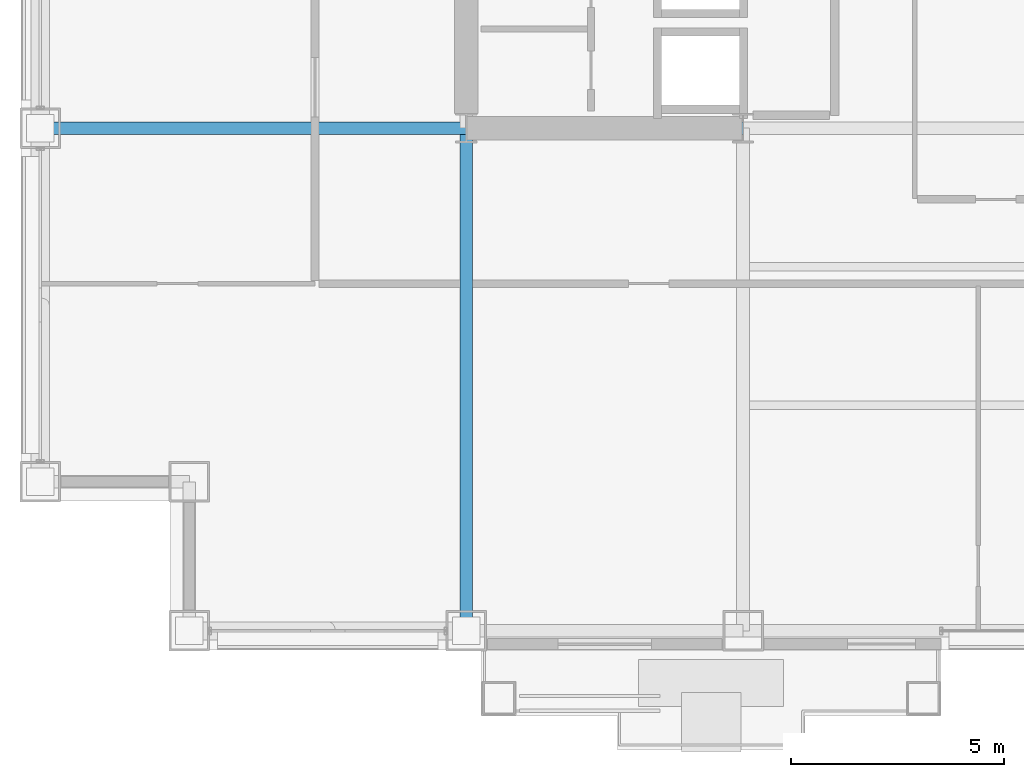
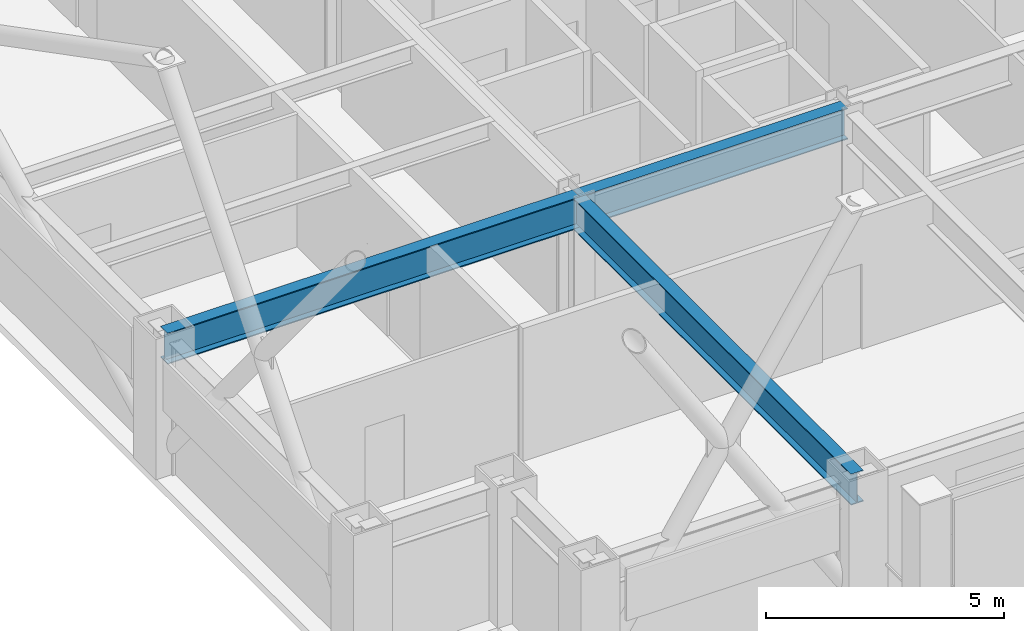
# One storey, part 6 of 33: 3 beams.
"""IFC4 building model written with IfcOpenShell, lengths in metres."""

import ifcopenshell
import ifcopenshell.guid

model = None  # the IFC model being written
_history = None  # IfcOwnerHistory: only IFC2X3 demands one
_inside = {}  # id of a spatial element -> (the spatial element, [elements in it])
_under = {}  # id of a project, library or spatial element -> (it, [spatial elements below it])
_declared = {}  # id of a project -> (the project, [libraries it declares])
_typed = {}  # id of a type object -> (the type object, [elements of that type])
_made_of = {}  # id of a material, layer set ... -> (it, [elements and type objects made of it])


def new_model(schema):
    """Start an empty IFC model of exactly this schema.

    Asked for "IFC4X3", IfcOpenShell would pick the latest addendum, in which some entities
    have other attributes; the version numbers below select the first issue.
    IFC2X3 requires an IfcOwnerHistory on every rooted entity: one is made here for all.
    """
    global model, _history
    if schema == "IFC4X3":
        model = ifcopenshell.file(schema_version=(4, 3, 0, 0))
    else:
        model = ifcopenshell.file(schema=schema)
    _inside.clear()
    _under.clear()
    _declared.clear()
    _typed.clear()
    _made_of.clear()
    _history = None
    if model.schema == "IFC2X3":
        org = make("IfcOrganization", Name="unknown")
        user = make(
            "IfcPersonAndOrganization",
            ThePerson=make("IfcPerson", FamilyName="unknown"),
            TheOrganization=org,
        )
        app = make(
            "IfcApplication",
            ApplicationDeveloper=org,
            Version="unknown",
            ApplicationFullName="unknown",
            ApplicationIdentifier="unknown",
        )
        _history = make(
            "IfcOwnerHistory",
            OwningUser=user,
            OwningApplication=app,
            ChangeAction="ADDED",
            CreationDate=0,
        )
    return model


def make(cls, **values):
    """One entity of the class cls with the attributes given. An attribute that is None is left unset."""
    return model.create_entity(
        cls, **{name: value for name, value in values.items() if value is not None}
    )


def rooted(cls, **values):
    """An entity with a GlobalId (a new one), such as an element, a storey or a relation."""
    return make(cls, GlobalId=ifcopenshell.guid.new(), OwnerHistory=_history, **values)


def si_unit(unit_type, name, prefix=None):
    """IfcSIUnit, for example si_unit("LENGTHUNIT", "METRE", prefix="MILLI")."""
    return make("IfcSIUnit", UnitType=unit_type, Prefix=prefix, Name=name)


def assignment(units):
    """IfcUnitAssignment: the units of a project."""
    return None if units is None else make("IfcUnitAssignment", Units=units)


def point(xyz):
    """IfcCartesianPoint."""
    return None if xyz is None else make("IfcCartesianPoint", Coordinates=xyz)


def direction(xyz):
    """IfcDirection."""
    return None if xyz is None else make("IfcDirection", DirectionRatios=xyz)


def frame(location, z_axis=None, x_axis=None):
    """IfcAxis2Placement3D, a coordinate frame: its origin and axes. An axis left out is left unset."""
    return make(
        "IfcAxis2Placement3D",
        Location=point(location),
        Axis=direction(z_axis),
        RefDirection=direction(x_axis),
    )


def frame_2d(location, x_axis=None):
    """IfcAxis2Placement2D, a coordinate frame in the plane: its origin and x axis."""
    return make(
        "IfcAxis2Placement2D", Location=point(location), RefDirection=direction(x_axis)
    )


def origin():
    """The frame at (0, 0, 0) with its axes left unset."""
    return frame((0.0, 0.0, 0.0))


def origin_2d():
    """The frame at (0, 0) in the plane with its x axis left unset."""
    return frame_2d((0.0, 0.0))


def place(relative_to, where):
    """IfcLocalPlacement: puts the frame where relative to a parent placement (None: the world)."""
    return make(
        "IfcLocalPlacement", PlacementRelTo=relative_to, RelativePlacement=where
    )


def context(
    kind, dimensions, precision=None, world=None, true_north=None, identifier=None
):
    """IfcGeometricRepresentationContext, for example the 3D "Model" context."""
    return make(
        "IfcGeometricRepresentationContext",
        ContextIdentifier=identifier,
        ContextType=kind,
        CoordinateSpaceDimension=dimensions,
        Precision=precision,
        WorldCoordinateSystem=world,
        TrueNorth=true_north,
    )


def subcontext(parent, identifier, kind, view, scale=None):
    """IfcGeometricRepresentationSubContext, for example "Body" below "Model"."""
    return make(
        "IfcGeometricRepresentationSubContext",
        ContextIdentifier=identifier,
        ContextType=kind,
        ParentContext=parent,
        TargetScale=scale,
        TargetView=view,
    )


def project(units=None, contexts=None):
    """IfcProject with its units and contexts."""
    return rooted(
        "IfcProject",
        Name="project",
        RepresentationContexts=contexts,
        UnitsInContext=assignment(units),
    )


def spatial(cls, under=None, at=None, **own):
    """A site, building, storey or space (cls), placed at a placement, below another one or the project."""
    s = rooted(cls, ObjectPlacement=at, **own)
    if under is not None:
        _under.setdefault(under.id(), (under, []))[1].append(s)
    return s


def profile(cls, at=None, kind="AREA", **sizes):
    """A parametric profile (cls). Its sizes go by their IFC names, for example OverallWidth=200.0."""
    return make(cls, ProfileType=kind, Position=at, **sizes)


def i_section(**sizes):
    """IfcIShapeProfileDef."""
    return profile("IfcIShapeProfileDef", **sizes)


def extrude(swept, where, along, depth):
    """IfcExtrudedAreaSolid: the profile swept, set in the frame where, extruded along a direction by depth."""
    return make(
        "IfcExtrudedAreaSolid",
        SweptArea=swept,
        Position=where,
        ExtrudedDirection=direction(along),
        Depth=depth,
    )


def shape(context_of_items, identifier, shape_type, items):
    """IfcShapeRepresentation: the items that make up one representation, for example the "Body"."""
    return make(
        "IfcShapeRepresentation",
        ContextOfItems=context_of_items,
        RepresentationIdentifier=identifier,
        RepresentationType=shape_type,
        Items=items,
    )


def material(Name=None, Category=None):
    """IfcMaterial."""
    return make("IfcMaterial", Name=Name, Category=Category)


def material_profile(
    of_material, cross_section, Name=None, Category=None, Priority=None
):
    """IfcMaterialProfile: a cross section and its material."""
    return make(
        "IfcMaterialProfile",
        Name=Name,
        Material=of_material,
        Profile=cross_section,
        Priority=Priority,
        Category=Category,
    )


def profile_set(profiles, Name=None, composite=None):
    """IfcMaterialProfileSet."""
    return make(
        "IfcMaterialProfileSet",
        Name=Name,
        MaterialProfiles=profiles,
        CompositeProfile=composite,
    )


def made_of(thing, what):
    """Note that an element or type object is made of a material, layer set ...; save() writes the relation."""
    if what is not None:
        _made_of.setdefault(what.id(), (what, []))[1].append(thing)
    return thing


def type_object(cls, material=None, **own):
    """A type object (cls), such as IfcWallType, which elements share."""
    return made_of(rooted(cls, **own), material)


def element(
    cls,
    number,
    at=None,
    inside=None,
    cuts=None,
    type_object=None,
    material=None,
    context=None,
    identifier="Body",
    shape_type=None,
    held_by="IfcProductDefinitionShape",
    body=None,
    shapes=None,
    **own,
):
    """One element of the class cls, such as IfcWall. Its Tag is "e" and its number.

    at: its placement. inside: the storey or other place that contains it. cuts: it is an
    opening in that element (IfcRelVoidsElement). A single representation is given by context,
    identifier, shape_type and body (its items); several are given by shapes. held_by: the class
    of the entity that holds the representations. save() writes the other relations.
    """
    e = rooted(cls, Tag="e%d" % number, ObjectPlacement=at, **own)
    if body is not None:
        shapes = [shape(context, identifier, shape_type, body)]
    if shapes is not None:
        e.Representation = make(held_by, Representations=shapes)
    if inside is not None:
        _inside.setdefault(inside.id(), (inside, []))[1].append(e)
    if cuts is not None:
        rooted(
            "IfcRelVoidsElement", RelatingBuildingElement=cuts, RelatedOpeningElement=e
        )
    if type_object is not None:
        _typed.setdefault(type_object.id(), (type_object, []))[1].append(e)
    return made_of(e, material)


def aggregate(whole, parts):
    """IfcRelAggregates: a whole, such as a stair, and the parts it consists of."""
    return rooted("IfcRelAggregates", RelatingObject=whole, RelatedObjects=parts)


def save(model, path):
    """Write the relations noted so far, then the file.

    IfcRelAggregates (storeys below a building ...), IfcRelContainedInSpatialStructure (elements
    in a storey), IfcRelDefinesByType, IfcRelAssociatesMaterial and IfcRelDeclares: one each for
    every whole, place, type object, material and project.
    """
    for whole, parts in _under.values():
        aggregate(whole, parts)
    for where, things in _inside.values():
        rooted(
            "IfcRelContainedInSpatialStructure",
            RelatedElements=things,
            RelatingStructure=where,
        )
    for kind, things in _typed.values():
        rooted("IfcRelDefinesByType", RelatedObjects=things, RelatingType=kind)
    for what, things in _made_of.values():
        rooted("IfcRelAssociatesMaterial", RelatedObjects=things, RelatingMaterial=what)
    for by, libraries in _declared.values():
        rooted("IfcRelDeclares", RelatingContext=by, RelatedDefinitions=libraries)
    model.write(path)


model = new_model("IFC4")

# Units and contexts
model_context = context("Model", 3, precision=1e-05, world=origin(), true_north=direction((0.0, 1.0)))
body_context = subcontext(model_context, "Body", "Model", "MODEL_VIEW")
ifc_project = project(units=[si_unit("LENGTHUNIT", "METRE"), si_unit("AREAUNIT", "SQUARE_METRE"), si_unit("VOLUMEUNIT", "CUBIC_METRE"), si_unit("PLANEANGLEUNIT", "RADIAN"), si_unit("MASSUNIT", "GRAM", prefix="KILO")], contexts=[model_context])

# Site, building, storey
site_placement = place(None, origin())
site = spatial("IfcSite", under=ifc_project, at=site_placement, CompositionType="ELEMENT")
building_placement = place(site_placement, origin())
building = spatial("IfcBuilding", under=site, at=building_placement, Name="Brelmoor Portico Tower", CompositionType="ELEMENT")
storey_placement = place(building_placement, frame((0.0, 0.0, 34.800048828125)))
storey = spatial("IfcBuildingStorey", under=building, at=storey_placement, Name="L08", CompositionType="ELEMENT", Elevation=34.800048828125)

# Beams
ifc_material = material(Name="Steel Q355B", Category="steel")
ifc_material_profile = material_profile(ifc_material, i_section(OverallWidth=0.300048828125, OverallDepth=0.800048828125, WebThickness=0.013916015625, FlangeThickness=0.02587890625, at=origin_2d()), Name="HN 800x300x14x26")
ifc_profile_set = profile_set([ifc_material_profile], Name="Steel Q355B")
beam_type = type_object("IfcBeamType", Name="BM-PG-800", PredefinedType="BEAM", material=ifc_profile_set)
beam_1_placement = place(storey_placement, frame((-14.550048828125, -21.550048828125, 3.0), z_axis=(0.0, 1.0, 0.0), x_axis=(-1.0, 0.0, 0.0)))
element("IfcBeam", 1, at=beam_1_placement, inside=storey, type_object=beam_type, Name="L08 Primary Floor Girder PG-03", PredefinedType="BEAM", context=body_context, shape_type="SweptSolid", body=[
    extrude(i_section(OverallWidth=0.300048828125, OverallDepth=0.800048828125, WebThickness=0.013916015625, FlangeThickness=0.02587890625, at=origin_2d()), origin(), (0.0, 0.0, 1.0), 11.800048828125),
])
beam_2_placement = place(storey_placement, frame((-24.550048828125, -9.75, 3.0), z_axis=(1.0, 0.0, 0.0), x_axis=(0.0, 1.0, 0.0)))
element("IfcBeam", 2, at=beam_2_placement, inside=storey, type_object=beam_type, Name="L08 Primary Floor Girder PG-19", PredefinedType="BEAM", context=body_context, shape_type="SweptSolid", body=[
    extrude(i_section(OverallWidth=0.300048828125, OverallDepth=0.800048828125, WebThickness=0.013916015625, FlangeThickness=0.02587890625, at=origin_2d()), origin(), (0.0, 0.0, 1.0), 10.0),
])
beam_3_placement = place(storey_placement, frame((-14.550048828125, -9.75, 3.0), z_axis=(1.0, 0.0, 0.0), x_axis=(0.0, 1.0, 0.0)))
element("IfcBeam", 3, at=beam_3_placement, inside=storey, type_object=beam_type, Name="L08 Primary Floor Girder PG-20", PredefinedType="BEAM", context=body_context, shape_type="SweptSolid", body=[
    extrude(i_section(OverallWidth=0.300048828125, OverallDepth=0.800048828125, WebThickness=0.013916015625, FlangeThickness=0.02587890625, at=origin_2d()), origin(), (0.0, 0.0, 1.0), 6.5),
])

save(model, "model.ifc")
